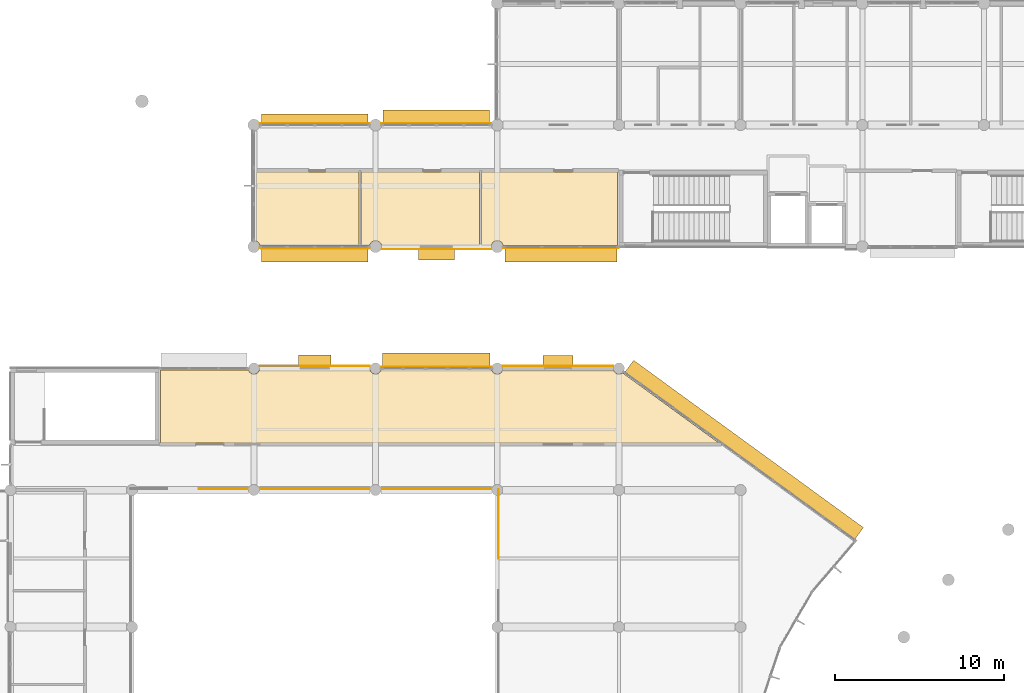
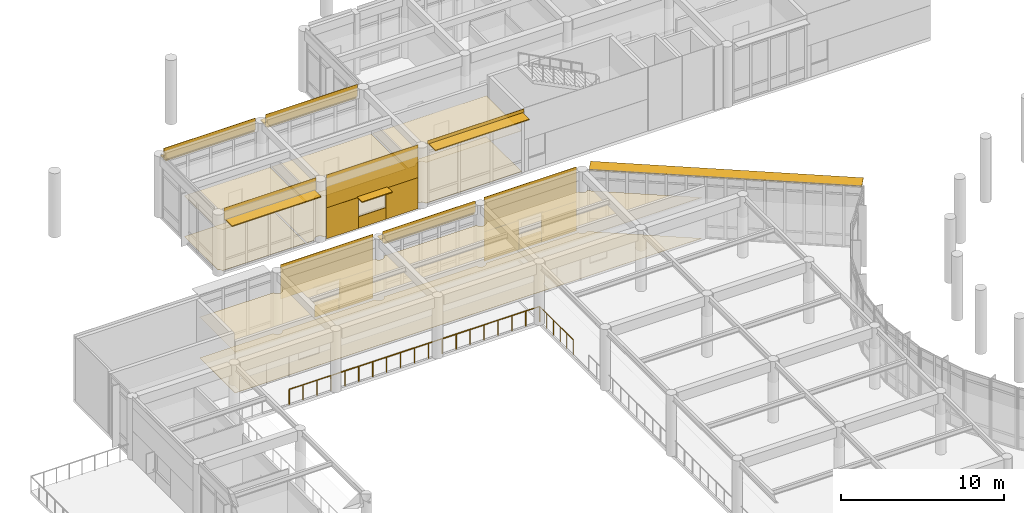
# One storey, part 79 of 92: 24 coverings, 9 shading devices, 2 railings.
"""IFC4 building model written with IfcOpenShell, lengths in metres."""

from ifc_helpers import new_model, si_unit, direction, frame, origin, origin_2d, place, context, subcontext, project, spatial, polyline, rectangle, circle, outline, extrude, material, layer, layer_set, type_object, element, save


model = new_model("IFC4")

# Units and contexts
model_context = context("Model", 3, precision=1e-05, world=origin(), true_north=direction((0.0, 1.0)))
body_context = subcontext(model_context, "Body", "Model", "MODEL_VIEW")
ifc_project = project(units=[si_unit("LENGTHUNIT", "METRE"), si_unit("AREAUNIT", "SQUARE_METRE"), si_unit("VOLUMEUNIT", "CUBIC_METRE"), si_unit("PLANEANGLEUNIT", "RADIAN"), si_unit("MASSUNIT", "GRAM", prefix="KILO")], contexts=[model_context])

# Site, building, storey
site_placement = place(None, origin())
site = spatial("IfcSite", under=ifc_project, at=site_placement, CompositionType="ELEMENT")
building_placement = place(site_placement, origin())
building = spatial("IfcBuilding", under=site, at=building_placement, Name="Namkhue Oval Health Centre", CompositionType="ELEMENT")
storey_placement = place(building_placement, frame((0.0, 0.0, 4.800048828125)))
storey = spatial("IfcBuildingStorey", under=building, at=storey_placement, Name="L01", CompositionType="ELEMENT", Elevation=4.800048828125)

# Coverings
ifc_material_1 = material(Name="Acoustic mineral-fibre cleanroom ceiling", Category="gypsum")
ifc_layer_1 = layer(ifc_material_1, 0.02001953125)
ifc_layer_set_1 = layer_set([ifc_layer_1], Name="Acoustic mineral-fibre cleanroom ceiling")
covering_type_1 = type_object("IfcCoveringType", Name="ACOUSTIC CLEANROOM CEILING 20", PredefinedType="CEILING", material=ifc_layer_set_1)
covering_1_placement = place(storey_placement, frame((0.0, 0.0, 3.050048828125)))
element("IfcCovering", 1, at=covering_1_placement, inside=storey, type_object=covering_type_1, Name="Acoustic Ceiling L01-130 Preventive Immunisation Clinic", PredefinedType="CEILING", context=body_context, shape_type="SweptSolid", body=[
    extrude(outline(polyline([(30.47998046875, 78.3798828125), (30.47998046875, 82.715087890625), (35.67626953125, 82.715087890625), (35.7099609375, 82.632568359375), (35.76318359375, 82.56298828125), (35.83251953125, 82.510009765625), (35.913330078125, 82.476318359375), (36.0, 82.465087890625), (36.086669921875, 82.476318359375), (36.16748046875, 82.510009765625), (36.23681640625, 82.56298828125), (36.2900390625, 82.632568359375), (36.32373046875, 82.715087890625), (42.876220703125, 82.715087890625), (42.909912109375, 82.632568359375), (42.963134765625, 82.56298828125), (43.032470703125, 82.510009765625), (43.11328125, 82.476318359375), (43.199951171875, 82.465087890625), (43.28662109375, 82.476318359375), (43.367431640625, 82.510009765625), (43.43701171875, 82.56298828125), (43.489990234375, 82.632568359375), (43.523681640625, 82.715087890625), (50.076171875, 82.715087890625), (50.10986328125, 82.632568359375), (50.1630859375, 82.56298828125), (50.232421875, 82.510009765625), (50.313232421875, 82.476318359375), (50.39990234375, 82.465087890625), (50.48681640625, 82.476318359375), (50.5673828125, 82.510009765625), (50.636962890625, 82.56298828125), (50.690185546875, 82.632568359375), (50.723876953125, 82.715087890625), (57.276123046875, 82.715087890625), (57.309814453125, 82.632568359375), (57.363037109375, 82.56298828125), (57.4326171875, 82.510009765625), (57.51318359375, 82.476318359375), (57.60009765625, 82.465087890625), (57.686767578125, 82.476318359375), (57.767578125, 82.510009765625), (57.809814453125, 82.542236328125), (63.5283203125, 78.3798828125), (30.47998046875, 78.3798828125)])), origin(), (0.0, 0.0, 1.0), 0.02001953125),
])
covering_2_placement = place(storey_placement, frame((0.0, 0.0, 3.050048828125)))
element("IfcCovering", 2, at=covering_2_placement, inside=storey, type_object=covering_type_1, Name="Acoustic Ceiling L01-210 Hypertension Consultation Suite", PredefinedType="CEILING", context=body_context, shape_type="SweptSolid", body=[
    extrude(outline(polyline([(36.348876953125, 90.0849609375), (36.311767578125, 90.179931640625), (36.254638671875, 90.254638671875), (36.179931640625, 90.311767578125), (36.14501953125, 90.326416015625), (36.14501953125, 94.419921875), (42.212890625, 94.419921875), (42.212890625, 90.0849609375), (36.348876953125, 90.0849609375)])), origin(), (0.0, 0.0, 1.0), 0.02001953125),
])
covering_3_placement = place(storey_placement, frame((0.0, 0.0, 3.050048828125)))
element("IfcCovering", 3, at=covering_3_placement, inside=storey, type_object=covering_type_1, Name="Acoustic Ceiling L01-211 Spirometry Diagnostics Room", PredefinedType="CEILING", context=body_context, shape_type="SweptSolid", body=[
    extrude(outline(polyline([(43.548828125, 90.0849609375), (43.51171875, 90.179931640625), (43.45458984375, 90.254638671875), (43.3798828125, 90.311767578125), (43.293212890625, 90.34765625), (43.199951171875, 90.360107421875), (43.106689453125, 90.34765625), (43.02001953125, 90.311767578125), (42.9453125, 90.254638671875), (42.88818359375, 90.179931640625), (42.851318359375, 90.0849609375), (42.3330078125, 90.0849609375), (42.3330078125, 94.419921875), (49.360107421875, 94.419921875), (49.360107421875, 90.0849609375), (43.548828125, 90.0849609375)])), origin(), (0.0, 0.0, 1.0), 0.02001953125),
])
covering_4_placement = place(storey_placement, frame((0.0, 0.0, 3.050048828125)))
element("IfcCovering", 4, at=covering_4_placement, inside=storey, type_object=covering_type_1, Name="Acoustic Ceiling L01-212 General Practice Examination Room", PredefinedType="CEILING", context=body_context, shape_type="SweptSolid", body=[
    extrude(outline(polyline([(50.748779296875, 90.0849609375), (50.7119140625, 90.179931640625), (50.654541015625, 90.254638671875), (50.580078125, 90.311767578125), (50.4931640625, 90.34765625), (50.39990234375, 90.360107421875), (50.306884765625, 90.34765625), (50.219970703125, 90.311767578125), (50.1455078125, 90.254638671875), (50.088134765625, 90.179931640625), (50.05126953125, 90.0849609375), (49.47998046875, 90.0849609375), (49.47998046875, 94.419921875), (57.52001953125, 94.419921875), (57.52001953125, 90.0849609375), (50.748779296875, 90.0849609375)])), origin(), (0.0, 0.0, 1.0), 0.02001953125),
])
ifc_material_2 = material(Name="Homogeneous anti-bacterial clinical vinyl flooring", Category="plastic")
ifc_layer_2 = layer(ifc_material_2, 0.014892578125)
ifc_layer_set_2 = layer_set([ifc_layer_2], Name="Homogeneous anti-bacterial clinical vinyl flooring")
covering_type_2 = type_object("IfcCoveringType", Name="CLINICAL ANTIBACTERIAL VINYL FLOORING 15", PredefinedType="FLOORING", material=ifc_layer_set_2)
covering_5_placement = place(storey_placement, origin())
element("IfcCovering", 5, at=covering_5_placement, inside=storey, type_object=covering_type_2, Name="Clinical Flooring L01-130 Preventive Immunisation Clinic", PredefinedType="FLOORING", context=body_context, shape_type="SweptSolid", body=[
    extrude(outline(polyline([(30.47998046875, 78.3798828125), (30.47998046875, 82.715087890625), (35.67626953125, 82.715087890625), (35.7099609375, 82.632568359375), (35.76318359375, 82.56298828125), (35.83251953125, 82.510009765625), (35.913330078125, 82.476318359375), (36.0, 82.465087890625), (36.086669921875, 82.476318359375), (36.16748046875, 82.510009765625), (36.23681640625, 82.56298828125), (36.2900390625, 82.632568359375), (36.32373046875, 82.715087890625), (42.876220703125, 82.715087890625), (42.909912109375, 82.632568359375), (42.963134765625, 82.56298828125), (43.032470703125, 82.510009765625), (43.11328125, 82.476318359375), (43.199951171875, 82.465087890625), (43.28662109375, 82.476318359375), (43.367431640625, 82.510009765625), (43.43701171875, 82.56298828125), (43.489990234375, 82.632568359375), (43.523681640625, 82.715087890625), (50.076171875, 82.715087890625), (50.10986328125, 82.632568359375), (50.1630859375, 82.56298828125), (50.232421875, 82.510009765625), (50.313232421875, 82.476318359375), (50.39990234375, 82.465087890625), (50.48681640625, 82.476318359375), (50.5673828125, 82.510009765625), (50.636962890625, 82.56298828125), (50.690185546875, 82.632568359375), (50.723876953125, 82.715087890625), (57.276123046875, 82.715087890625), (57.309814453125, 82.632568359375), (57.363037109375, 82.56298828125), (57.4326171875, 82.510009765625), (57.51318359375, 82.476318359375), (57.60009765625, 82.465087890625), (57.686767578125, 82.476318359375), (57.767578125, 82.510009765625), (57.809814453125, 82.542236328125), (63.5283203125, 78.3798828125), (30.47998046875, 78.3798828125)])), origin(), (0.0, 0.0, 1.0), 0.014892578125),
])
covering_6_placement = place(storey_placement, origin())
element("IfcCovering", 6, at=covering_6_placement, inside=storey, type_object=covering_type_2, Name="Clinical Flooring L01-210 Hypertension Consultation Suite", PredefinedType="FLOORING", context=body_context, shape_type="SweptSolid", body=[
    extrude(outline(polyline([(36.348876953125, 90.0849609375), (36.311767578125, 90.179931640625), (36.254638671875, 90.254638671875), (36.179931640625, 90.311767578125), (36.14501953125, 90.326416015625), (36.14501953125, 94.419921875), (42.212890625, 94.419921875), (42.212890625, 90.0849609375), (36.348876953125, 90.0849609375)])), origin(), (0.0, 0.0, 1.0), 0.014892578125),
])
covering_7_placement = place(storey_placement, origin())
element("IfcCovering", 7, at=covering_7_placement, inside=storey, type_object=covering_type_2, Name="Clinical Flooring L01-211 Spirometry Diagnostics Room", PredefinedType="FLOORING", context=body_context, shape_type="SweptSolid", body=[
    extrude(outline(polyline([(43.548828125, 90.0849609375), (43.51171875, 90.179931640625), (43.45458984375, 90.254638671875), (43.3798828125, 90.311767578125), (43.293212890625, 90.34765625), (43.199951171875, 90.360107421875), (43.106689453125, 90.34765625), (43.02001953125, 90.311767578125), (42.9453125, 90.254638671875), (42.88818359375, 90.179931640625), (42.851318359375, 90.0849609375), (42.3330078125, 90.0849609375), (42.3330078125, 94.419921875), (49.360107421875, 94.419921875), (49.360107421875, 90.0849609375), (43.548828125, 90.0849609375)])), origin(), (0.0, 0.0, 1.0), 0.014892578125),
])
covering_8_placement = place(storey_placement, origin())
element("IfcCovering", 8, at=covering_8_placement, inside=storey, type_object=covering_type_2, Name="Clinical Flooring L01-212 General Practice Examination Room", PredefinedType="FLOORING", context=body_context, shape_type="SweptSolid", body=[
    extrude(outline(polyline([(50.748779296875, 90.0849609375), (50.7119140625, 90.179931640625), (50.654541015625, 90.254638671875), (50.580078125, 90.311767578125), (50.4931640625, 90.34765625), (50.39990234375, 90.360107421875), (50.306884765625, 90.34765625), (50.219970703125, 90.311767578125), (50.1455078125, 90.254638671875), (50.088134765625, 90.179931640625), (50.05126953125, 90.0849609375), (49.47998046875, 90.0849609375), (49.47998046875, 94.419921875), (57.52001953125, 94.419921875), (57.52001953125, 90.0849609375), (50.748779296875, 90.0849609375)])), origin(), (0.0, 0.0, 1.0), 0.014892578125),
])

# Railings
ifc_material_3 = material(Name="Brushed stainless steel 316L balustrade with laminated glass infill", Category="steel")
railing_type = type_object("IfcRailingType", Name="INTERIOR BALUSTRADE GUARD 1150", PredefinedType="BALUSTRADE", material=ifc_material_3)
railing_1_placement = place(storey_placement, frame((32.75, 75.679931640625, 0.0)))
element("IfcRailing", 9, at=railing_1_placement, inside=storey, type_object=railing_type, Name="Waiting Hall L01 Mezzanine Atrium Guard 5", PredefinedType="BALUSTRADE", context=body_context, shape_type="SweptSolid", body=[
    extrude(circle(Radius=0.02392578125, at=origin_2d()), frame((0.0, 0.0, 1.1259765625), z_axis=(1.0, 0.0, 0.0), x_axis=(0.0, 1.0, 0.0)), (0.0, 0.0, 1.0), 17.72998046875),
    extrude(circle(Radius=0.02099609375, at=origin_2d()), origin(), (0.0, 0.0, 1.0), 1.101806640625),
    extrude(circle(Radius=0.02099609375, at=origin_2d()), frame((0.985107421875, 0.0, 0.0)), (0.0, 0.0, 1.0), 1.101806640625),
    extrude(circle(Radius=0.02099609375, at=origin_2d()), frame((1.969970703125, 0.0, 0.0)), (0.0, 0.0, 1.0), 1.101806640625),
    extrude(circle(Radius=0.02099609375, at=origin_2d()), frame((2.955078125, 0.0, 0.0)), (0.0, 0.0, 1.0), 1.101806640625),
    extrude(circle(Radius=0.02099609375, at=origin_2d()), frame((3.93994140625, 0.0, 0.0)), (0.0, 0.0, 1.0), 1.101806640625),
    extrude(circle(Radius=0.02099609375, at=origin_2d()), frame((4.925048828125, 0.0, 0.0)), (0.0, 0.0, 1.0), 1.101806640625),
    extrude(circle(Radius=0.02099609375, at=origin_2d()), frame((5.909912109375, 0.0, 0.0)), (0.0, 0.0, 1.0), 1.101806640625),
    extrude(circle(Radius=0.02099609375, at=origin_2d()), frame((6.89501953125, 0.0, 0.0)), (0.0, 0.0, 1.0), 1.101806640625),
    extrude(circle(Radius=0.02099609375, at=origin_2d()), frame((7.8798828125, 0.0, 0.0)), (0.0, 0.0, 1.0), 1.101806640625),
    extrude(circle(Radius=0.02099609375, at=origin_2d()), frame((8.864990234375, 0.0, 0.0)), (0.0, 0.0, 1.0), 1.101806640625),
    extrude(circle(Radius=0.02099609375, at=origin_2d()), frame((9.85009765625, 0.0, 0.0)), (0.0, 0.0, 1.0), 1.101806640625),
    extrude(circle(Radius=0.02099609375, at=origin_2d()), frame((10.8349609375, 0.0, 0.0)), (0.0, 0.0, 1.0), 1.101806640625),
    extrude(circle(Radius=0.02099609375, at=origin_2d()), frame((11.820068359375, 0.0, 0.0)), (0.0, 0.0, 1.0), 1.101806640625),
    extrude(circle(Radius=0.02099609375, at=origin_2d()), frame((12.804931640625, 0.0, 0.0)), (0.0, 0.0, 1.0), 1.101806640625),
    extrude(circle(Radius=0.02099609375, at=origin_2d()), frame((13.7900390625, 0.0, 0.0)), (0.0, 0.0, 1.0), 1.101806640625),
    extrude(circle(Radius=0.02099609375, at=origin_2d()), frame((14.77490234375, 0.0, 0.0)), (0.0, 0.0, 1.0), 1.101806640625),
    extrude(circle(Radius=0.02099609375, at=origin_2d()), frame((15.760009765625, 0.0, 0.0)), (0.0, 0.0, 1.0), 1.101806640625),
    extrude(circle(Radius=0.02099609375, at=origin_2d()), frame((16.744873046875, 0.0, 0.0)), (0.0, 0.0, 1.0), 1.101806640625),
    extrude(circle(Radius=0.02099609375, at=origin_2d()), frame((17.72998046875, 0.0, 0.0)), (0.0, 0.0, 1.0), 1.101806640625),
])
railing_2_placement = place(storey_placement, frame((50.47998046875, 71.550048828125, 0.0)))
element("IfcRailing", 10, at=railing_2_placement, inside=storey, type_object=railing_type, Name="Waiting Hall L01 Mezzanine Atrium Guard 8", PredefinedType="BALUSTRADE", context=body_context, shape_type="SweptSolid", body=[
    extrude(circle(Radius=0.02392578125, at=origin_2d()), frame((0.0, 0.0, 1.1259765625), z_axis=(0.0, 1.0, 0.0), x_axis=(-1.0, 0.0, 0.0)), (0.0, 0.0, 1.0), 4.070068359375),
    extrude(circle(Radius=0.02099609375, at=origin_2d()), origin(), (0.0, 0.0, 1.0), 1.101806640625),
    extrude(circle(Radius=0.02099609375, at=origin_2d()), frame((0.0, 0.81396484375, 0.0)), (0.0, 0.0, 1.0), 1.101806640625),
    extrude(circle(Radius=0.02099609375, at=origin_2d()), frame((0.0, 1.6279296875, 0.0)), (0.0, 0.0, 1.0), 1.101806640625),
    extrude(circle(Radius=0.02099609375, at=origin_2d()), frame((0.0, 2.442138671875, 0.0)), (0.0, 0.0, 1.0), 1.101806640625),
    extrude(circle(Radius=0.02099609375, at=origin_2d()), frame((0.0, 3.256103515625, 0.0)), (0.0, 0.0, 1.0), 1.101806640625),
    extrude(circle(Radius=0.02099609375, at=origin_2d()), frame((0.0, 4.070068359375, 0.0)), (0.0, 0.0, 1.0), 1.101806640625),
])

# Shading devices
ifc_material_4 = material(Name="Anodised aluminium EN AW-6063 T6", Category="aluminium")
ifc_layer_3 = layer(ifc_material_4, 0.06005859375)
ifc_layer_set_3 = layer_set([ifc_layer_3], Name="Anodised aluminium EN AW-6063 T6")
shading_device_type_1 = type_object("IfcShadingDeviceType", Name="MONSOON SUN LOUVRE 900", PredefinedType="JALOUSIE", material=ifc_layer_set_3)
shading_device_1_placement = place(storey_placement, frame((65.003173828125, 77.96826171875, 4.530029296875), z_axis=(0.0, 0.0, 1.0), x_axis=(-0.808503746992, 0.588491028904, 0.0)))
element("IfcShadingDevice", 11, at=shading_device_1_placement, inside=storey, type_object=shading_device_type_1, Name="Volume V1 L01 Horizontal Monsoon Sun Louvre 36", PredefinedType="JALOUSIE", context=body_context, shape_type="SweptSolid", body=[
    extrude(rectangle(XDim=16.818115234375, YDim=0.89990234375, at=origin_2d()), origin(), (0.0, 0.0, 1.0), 0.06005859375),
])
shading_device_2_placement = place(storey_placement, frame((46.800048828125, 83.25, 3.8798828125), z_axis=(0.0, 0.0, 1.0), x_axis=(-1.0, 0.0, 0.0)))
element("IfcShadingDevice", 12, at=shading_device_2_placement, inside=storey, type_object=shading_device_type_1, Name="Volume V1 L01 Horizontal Monsoon Sun Louvre 38", PredefinedType="JALOUSIE", context=body_context, shape_type="SweptSolid", body=[
    extrude(rectangle(XDim=6.360107421875, YDim=0.89990234375, at=origin_2d()), origin(), (0.0, 0.0, 1.0), 0.06005859375),
])
shading_device_3_placement = place(storey_placement, frame((39.60009765625, 89.550048828125, 3.864990234375), z_axis=(0.0, 0.0, 1.0), x_axis=(1.0, 0.0, 0.0)))
element("IfcShadingDevice", 13, at=shading_device_3_placement, inside=storey, type_object=shading_device_type_1, Name="Volume V2 L01 Horizontal Monsoon Sun Louvre 60", PredefinedType="JALOUSIE", context=body_context, shape_type="SweptSolid", body=[
    extrude(rectangle(XDim=6.31005859375, YDim=0.89990234375, at=origin_2d()), origin(), (0.0, 0.0, 1.0), 0.06005859375),
])
shading_device_4_placement = place(storey_placement, frame((54.17138671875, 89.550048828125, 4.48486328125), z_axis=(0.0, 0.0, 1.0), x_axis=(1.0, 0.0, 0.0)))
element("IfcShadingDevice", 14, at=shading_device_4_placement, inside=storey, type_object=shading_device_type_1, Name="Volume V2 L01 Horizontal Monsoon Sun Louvre 62", PredefinedType="JALOUSIE", context=body_context, shape_type="SweptSolid", body=[
    extrude(rectangle(XDim=6.653076171875, YDim=0.89990234375, at=origin_2d()), origin(), (0.0, 0.0, 1.0), 0.06005859375),
])
shading_device_5_placement = place(storey_placement, frame((46.800048828125, 97.64990234375, 3.8349609375), z_axis=(0.0, 0.0, 1.0), x_axis=(-1.0, 0.0, 0.0)))
element("IfcShadingDevice", 15, at=shading_device_5_placement, inside=storey, type_object=shading_device_type_1, Name="Volume V2 L01 Horizontal Monsoon Sun Louvre 74", PredefinedType="JALOUSIE", context=body_context, shape_type="SweptSolid", body=[
    extrude(rectangle(XDim=6.31005859375, YDim=0.89990234375, at=origin_2d()), origin(), (0.0, 0.0, 1.0), 0.06005859375),
])
ifc_layer_4 = layer(ifc_material_4, 0.050048828125)
ifc_layer_set_4 = layer_set([ifc_layer_4], Name="Anodised aluminium EN AW-6063 T6")
shading_device_type_2 = type_object("IfcShadingDeviceType", Name="STORM SHUTTER LOUVRE 650", PredefinedType="SHUTTER", material=ifc_layer_set_4)
shading_device_6_placement = place(storey_placement, frame((54.0, 83.25, 2.219970703125), z_axis=(0.0, 0.0, 1.0), x_axis=(-1.0, 0.0, 0.0)))
element("IfcShadingDevice", 16, at=shading_device_6_placement, inside=storey, type_object=shading_device_type_2, Name="Volume V1 L01 Window Monsoon Louvre 37", PredefinedType="SHUTTER", context=body_context, shape_type="SweptSolid", body=[
    extrude(rectangle(XDim=1.7900390625, YDim=0.64990234375, at=origin_2d()), origin(), (0.0, 0.0, 1.0), 0.06005859375),
])
shading_device_7_placement = place(storey_placement, frame((39.60009765625, 83.2548828125, 2.219970703125), z_axis=(0.0, 0.0, 1.0), x_axis=(-1.0, 0.0, 0.0)))
element("IfcShadingDevice", 17, at=shading_device_7_placement, inside=storey, type_object=shading_device_type_2, Name="Volume V1 L01 Window Monsoon Louvre 39", PredefinedType="SHUTTER", context=body_context, shape_type="SweptSolid", body=[
    extrude(rectangle(XDim=1.93994140625, YDim=0.64990234375, at=origin_2d()), origin(), (0.0, 0.0, 1.0), 0.06005859375),
])
shading_device_8_placement = place(storey_placement, frame((46.800048828125, 89.544921875, 2.33984375), z_axis=(0.0, 0.0, 1.0), x_axis=(1.0, 0.0, 0.0)))
element("IfcShadingDevice", 18, at=shading_device_8_placement, inside=storey, type_object=shading_device_type_2, Name="Volume V2 L01 Window Monsoon Louvre 61", PredefinedType="SHUTTER", context=body_context, shape_type="SweptSolid", body=[
    extrude(rectangle(XDim=2.139892578125, YDim=0.64990234375, at=origin_2d()), origin(), (0.0, 0.0, 1.0), 0.06005859375),
])
shading_device_9_placement = place(storey_placement, frame((39.60009765625, 97.52490234375, 3.864990234375), z_axis=(0.0, 0.0, 1.0), x_axis=(-1.0, 0.0, 0.0)))
element("IfcShadingDevice", 19, at=shading_device_9_placement, inside=storey, type_object=shading_device_type_2, Name="Volume V2 L01 Horizontal Monsoon Sun Louvre 75", PredefinedType="SHUTTER", context=body_context, shape_type="SweptSolid", body=[
    extrude(rectangle(XDim=6.31005859375, YDim=0.64990234375, at=origin_2d()), origin(), (0.0, 0.0, 1.0), 0.06005859375),
])

# Coverings
ifc_material_5 = material(Name="White glass-fibre reinforced concrete GRC rainscreen cladding", Category="concrete")
ifc_layer_5 = layer(ifc_material_5, 0.02490234375)
ifc_layer_set_5 = layer_set([ifc_layer_5], Name="White glass-fibre reinforced concrete GRC rainscreen cladding")
covering_type_3 = type_object("IfcCoveringType", Name="WHITE GRC RAINSCREEN CLADDING 25", PredefinedType="CLADDING", material=ifc_layer_set_5)
covering_9_placement = place(storey_placement, frame((54.0, 82.947021484375, 2.21484375), z_axis=(0.0, 0.0, 1.0), x_axis=(-1.0, 0.0, 0.0)))
element("IfcCovering", 20, at=covering_9_placement, inside=storey, type_object=covering_type_3, Name="Volume V1 L01 Facade 10 White GRC Cladding 1", PredefinedType="CLADDING", context=body_context, shape_type="SweptSolid", body=[
    extrude(rectangle(XDim=6.52001953125, YDim=0.02490234375, at=origin_2d()), origin(), (0.0, 0.0, 1.0), 2.574951171875),
])
covering_10_placement = place(storey_placement, frame((56.02490234375, 82.947021484375, 0.009765625), z_axis=(0.0, 0.0, 1.0), x_axis=(-1.0, 0.0, 0.0)))
element("IfcCovering", 21, at=covering_10_placement, inside=storey, type_object=covering_type_3, Name="Volume V1 L01 Facade 10 White GRC Cladding 2", PredefinedType="CLADDING", context=body_context, shape_type="SweptSolid", body=[
    extrude(rectangle(XDim=2.469970703125, YDim=0.02490234375, at=origin_2d()), origin(), (0.0, 0.0, 1.0), 2.199951171875),
])
covering_11_placement = place(storey_placement, frame((54.0, 82.947021484375, 0.010009765625), z_axis=(0.0, 0.0, 1.0), x_axis=(-1.0, 0.0, 0.0)))
element("IfcCovering", 22, at=covering_11_placement, inside=storey, type_object=covering_type_3, Name="Volume V1 L01 Facade 10 White GRC Cladding 3", PredefinedType="CLADDING", context=body_context, shape_type="SweptSolid", body=[
    extrude(rectangle(XDim=1.570068359375, YDim=0.02490234375, at=origin_2d()), origin(), (0.0, 0.0, 1.0), 0.875),
])
covering_12_placement = place(storey_placement, frame((51.97509765625, 82.947021484375, 0.009765625), z_axis=(0.0, 0.0, 1.0), x_axis=(-1.0, 0.0, 0.0)))
element("IfcCovering", 23, at=covering_12_placement, inside=storey, type_object=covering_type_3, Name="Volume V1 L01 Facade 10 White GRC Cladding 4", PredefinedType="CLADDING", context=body_context, shape_type="SweptSolid", body=[
    extrude(rectangle(XDim=2.469970703125, YDim=0.02490234375, at=origin_2d()), origin(), (0.0, 0.0, 1.0), 2.199951171875),
])
covering_13_placement = place(storey_placement, frame((46.800048828125, 82.888427734375, 3.93505859375), z_axis=(0.0, 0.0, 1.0), x_axis=(-1.0, 0.0, 0.0)))
element("IfcCovering", 24, at=covering_13_placement, inside=storey, type_object=covering_type_3, Name="Volume V1 L01 Curtain Wall Spandrel Cladding 32", PredefinedType="CLADDING", context=body_context, shape_type="SweptSolid", body=[
    extrude(rectangle(XDim=6.550048828125, YDim=0.02490234375, at=origin_2d()), origin(), (0.0, 0.0, 1.0), 0.864990234375),
])
covering_14_placement = place(storey_placement, frame((39.60009765625, 82.951904296875, 2.21484375), z_axis=(0.0, 0.0, 1.0), x_axis=(-1.0, 0.0, 0.0)))
element("IfcCovering", 25, at=covering_14_placement, inside=storey, type_object=covering_type_3, Name="Volume V1 L01 Facade 11 White GRC Cladding 1", PredefinedType="CLADDING", context=body_context, shape_type="SweptSolid", body=[
    extrude(rectangle(XDim=6.52001953125, YDim=0.02490234375, at=origin_2d()), origin(), (0.0, 0.0, 1.0), 2.574951171875),
])
covering_15_placement = place(storey_placement, frame((41.66259765625, 82.951904296875, 0.009765625), z_axis=(0.0, 0.0, 1.0), x_axis=(-1.0, 0.0, 0.0)))
element("IfcCovering", 26, at=covering_15_placement, inside=storey, type_object=covering_type_3, Name="Volume V1 L01 Facade 11 White GRC Cladding 2", PredefinedType="CLADDING", context=body_context, shape_type="SweptSolid", body=[
    extrude(rectangle(XDim=2.39501953125, YDim=0.02490234375, at=origin_2d()), origin(), (0.0, 0.0, 1.0), 2.199951171875),
])
covering_16_placement = place(storey_placement, frame((39.60009765625, 82.951904296875, 0.010009765625), z_axis=(0.0, 0.0, 1.0), x_axis=(-1.0, 0.0, 0.0)))
element("IfcCovering", 27, at=covering_16_placement, inside=storey, type_object=covering_type_3, Name="Volume V1 L01 Facade 11 White GRC Cladding 3", PredefinedType="CLADDING", context=body_context, shape_type="SweptSolid", body=[
    extrude(rectangle(XDim=1.719970703125, YDim=0.02490234375, at=origin_2d()), origin(), (0.0, 0.0, 1.0), 0.875),
])
covering_17_placement = place(storey_placement, frame((39.60009765625, 89.91162109375, 3.919921875), z_axis=(0.0, 0.0, 1.0), x_axis=(1.0, 0.0, 0.0)))
element("IfcCovering", 28, at=covering_17_placement, inside=storey, type_object=covering_type_3, Name="Volume V2 L01 Curtain Wall Spandrel Cladding 47", PredefinedType="CLADDING", context=body_context, shape_type="SweptSolid", body=[
    extrude(rectangle(XDim=6.5, YDim=0.02490234375, at=origin_2d()), origin(), (0.0, 0.0, 1.0), 0.8798828125),
])
covering_18_placement = place(storey_placement, frame((46.800048828125, 89.847900390625, 2.3349609375), z_axis=(0.0, 0.0, 1.0), x_axis=(1.0, 0.0, 0.0)))
element("IfcCovering", 29, at=covering_18_placement, inside=storey, type_object=covering_type_3, Name="Volume V2 L01 Facade 27 White GRC Cladding 1", PredefinedType="CLADDING", context=body_context, shape_type="SweptSolid", body=[
    extrude(rectangle(XDim=6.469970703125, YDim=0.02490234375, at=origin_2d()), origin(), (0.0, 0.0, 1.0), 2.455078125),
])
covering_19_placement = place(storey_placement, frame((44.699951171875, 89.847900390625, 0.009765625), z_axis=(0.0, 0.0, 1.0), x_axis=(1.0, 0.0, 0.0)))
element("IfcCovering", 30, at=covering_19_placement, inside=storey, type_object=covering_type_3, Name="Volume V2 L01 Facade 27 White GRC Cladding 2", PredefinedType="CLADDING", context=body_context, shape_type="SweptSolid", body=[
    extrude(rectangle(XDim=2.27001953125, YDim=0.02490234375, at=origin_2d()), origin(), (0.0, 0.0, 1.0), 2.320068359375),
])
covering_20_placement = place(storey_placement, frame((46.800048828125, 89.847900390625, 0.010009765625), z_axis=(0.0, 0.0, 1.0), x_axis=(1.0, 0.0, 0.0)))
element("IfcCovering", 31, at=covering_20_placement, inside=storey, type_object=covering_type_3, Name="Volume V2 L01 Facade 27 White GRC Cladding 3", PredefinedType="CLADDING", context=body_context, shape_type="SweptSolid", body=[
    extrude(rectangle(XDim=1.919921875, YDim=0.02490234375, at=origin_2d()), origin(), (0.0, 0.0, 1.0), 0.875),
])
covering_21_placement = place(storey_placement, frame((48.89990234375, 89.847900390625, 0.009765625), z_axis=(0.0, 0.0, 1.0), x_axis=(1.0, 0.0, 0.0)))
element("IfcCovering", 32, at=covering_21_placement, inside=storey, type_object=covering_type_3, Name="Volume V2 L01 Facade 27 White GRC Cladding 4", PredefinedType="CLADDING", context=body_context, shape_type="SweptSolid", body=[
    extrude(rectangle(XDim=2.27001953125, YDim=0.02490234375, at=origin_2d()), origin(), (0.0, 0.0, 1.0), 2.320068359375),
])
covering_22_placement = place(storey_placement, frame((54.17138671875, 89.91162109375, 4.5400390625), z_axis=(0.0, 0.0, 1.0), x_axis=(1.0, 0.0, 0.0)))
element("IfcCovering", 33, at=covering_22_placement, inside=storey, type_object=covering_type_3, Name="Volume V2 L01 Curtain Wall Spandrel Cladding 48", PredefinedType="CLADDING", context=body_context, shape_type="SweptSolid", body=[
    extrude(rectangle(XDim=6.843017578125, YDim=0.02490234375, at=origin_2d()), origin(), (0.0, 0.0, 1.0), 0.260009765625),
])
covering_23_placement = place(storey_placement, frame((46.800048828125, 97.28857421875, 3.89013671875), z_axis=(0.0, 0.0, 1.0), x_axis=(-1.0, 0.0, 0.0)))
element("IfcCovering", 34, at=covering_23_placement, inside=storey, type_object=covering_type_3, Name="Volume V2 L01 Curtain Wall Spandrel Cladding 58", PredefinedType="CLADDING", context=body_context, shape_type="SweptSolid", body=[
    extrude(rectangle(XDim=6.5, YDim=0.02490234375, at=origin_2d()), origin(), (0.0, 0.0, 1.0), 0.909912109375),
])
covering_24_placement = place(storey_placement, frame((39.60009765625, 97.28857421875, 3.919921875), z_axis=(0.0, 0.0, 1.0), x_axis=(-1.0, 0.0, 0.0)))
element("IfcCovering", 35, at=covering_24_placement, inside=storey, type_object=covering_type_3, Name="Volume V2 L01 Curtain Wall Spandrel Cladding 59", PredefinedType="CLADDING", context=body_context, shape_type="SweptSolid", body=[
    extrude(rectangle(XDim=6.5, YDim=0.02490234375, at=origin_2d()), origin(), (0.0, 0.0, 1.0), 0.8798828125),
])

save(model, "model.ifc")
